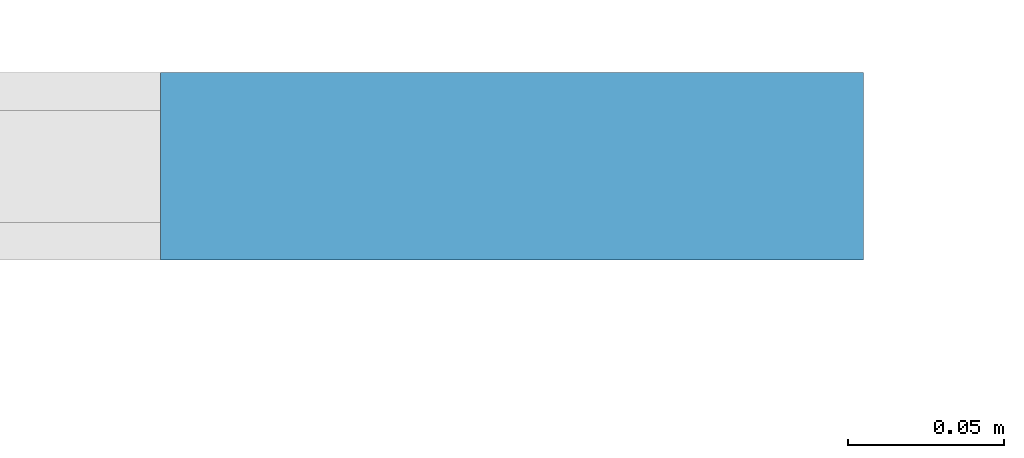
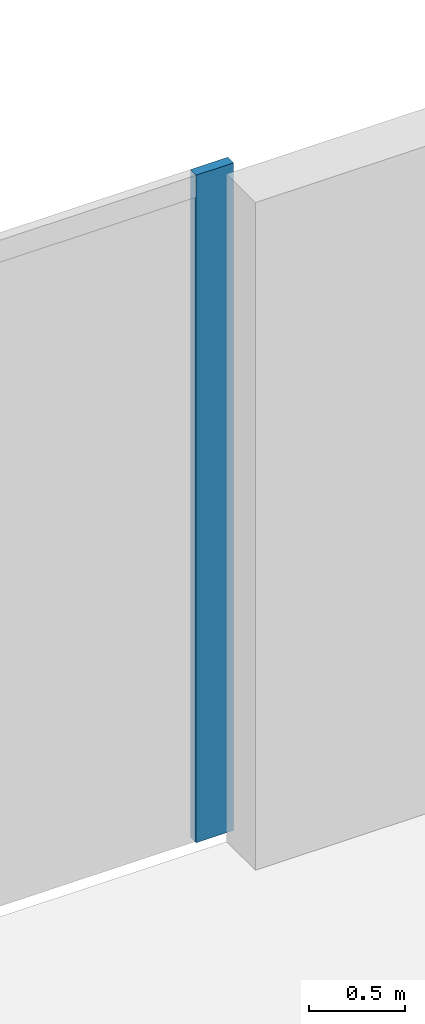
# One storey, part 22 of 47: 1 member, 1 element without a shape of its own.
"""IFC4 building model written with IfcOpenShell, lengths in metres."""

from ifc_helpers import new_model, si_unit, direction, frame, origin, origin_2d, place, context, subcontext, project, spatial, rectangle, extrude, material, layer, layer_set, material_profile, profile_set, type_object, element, aggregate, save


model = new_model("IFC4")

# Units and contexts
model_context = context("Model", 3, precision=1e-05, world=origin(), true_north=direction((0.0, 1.0)))
body_context = subcontext(model_context, "Body", "Model", "MODEL_VIEW")
ifc_project = project(units=[si_unit("LENGTHUNIT", "METRE"), si_unit("AREAUNIT", "SQUARE_METRE"), si_unit("VOLUMEUNIT", "CUBIC_METRE"), si_unit("PLANEANGLEUNIT", "RADIAN"), si_unit("MASSUNIT", "GRAM", prefix="KILO")], contexts=[model_context])

# Site, building, storey
site_placement = place(None, origin())
site = spatial("IfcSite", under=ifc_project, at=site_placement, CompositionType="ELEMENT")
building_placement = place(site_placement, origin())
building = spatial("IfcBuilding", under=site, at=building_placement, Name="Kheshtan School and Residences Tower", CompositionType="ELEMENT")
storey_placement = place(building_placement, frame((0.0, 0.0, 12.5)))
storey = spatial("IfcBuildingStorey", under=building, at=storey_placement, Name="L02", CompositionType="ELEMENT", Elevation=12.5)

# Curtain wall, member
ifc_material_1 = material(Name="Clear low-e glass in thermally broken aluminium frame", Category="aluminium")
ifc_layer = layer(ifc_material_1, 0.22509765625)
ifc_layer_set = layer_set([ifc_layer], Name="Curtain wall CW-P")
curtain_wall_type = type_object("IfcCurtainWallType", Name="Curtain wall CW-P", PredefinedType="NOTDEFINED", material=ifc_layer_set)
curtain_wall_placement = place(storey_placement, origin())
curtain_wall = element("IfcCurtainWall", 1, at=curtain_wall_placement, inside=storey, type_object=curtain_wall_type, Name="Curtain wall CWP4a", PredefinedType="NOTDEFINED")
ifc_material_2 = material(Name="Thermally broken aluminium, dark bronze anodised", Category="aluminium")
ifc_material_profile = material_profile(ifc_material_2, rectangle(XDim=0.06005859375, YDim=0.22509765625, at=origin_2d()), Name="CW-P mullion 60x225")
ifc_profile_set = profile_set([ifc_material_profile], Name="Thermally broken aluminium, dark bronze anodised")
member_type = type_object("IfcMemberType", Name="CW-P mullion 60x225", PredefinedType="MULLION", material=ifc_profile_set)
member_placement = place(storey_placement, frame((78.449951171875, 110.10009765625, 0.0), z_axis=(0.0, 0.0, 1.0), x_axis=(0.0, 1.0, 0.0)))
member = element("IfcMember", 2, at=member_placement, type_object=member_type, Name="CWP4a mullion 12", PredefinedType="MULLION", context=body_context, shape_type="SweptSolid", body=[
    extrude(rectangle(XDim=0.06005859375, YDim=0.22509765625, at=origin_2d()), origin(), (0.0, 0.0, 1.0), 4.25),
])
aggregate(curtain_wall, [member])

save(model, "model.ifc")
